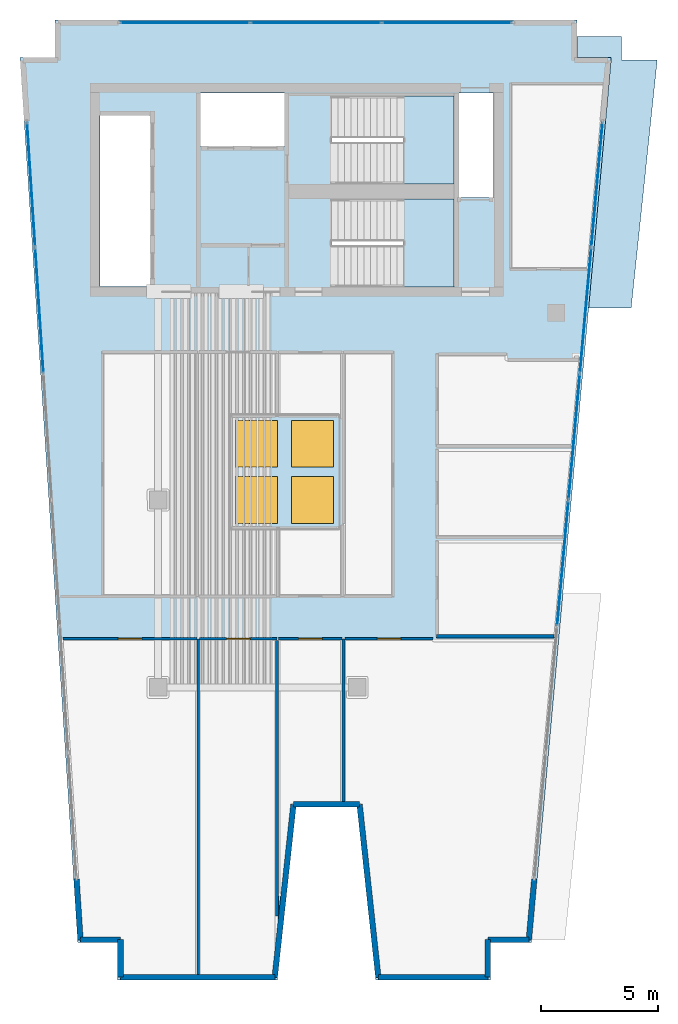
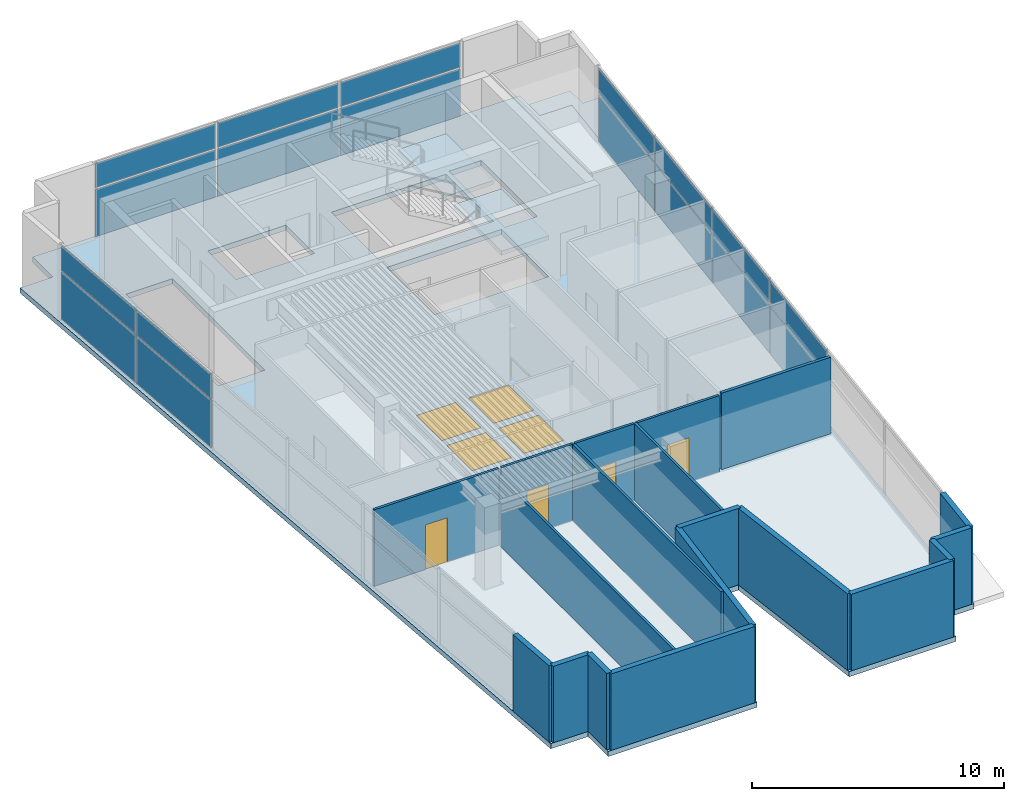
# One storey, part 3 of 7: 19 walls, 18 plates, 4 doors, 4 slabs, 4 windows, 8 openings, 5 elements without a shape of their own.
"""IFC4 building model written with IfcOpenShell, lengths in metres."""

from ifc_helpers import new_model, si_unit, direction, frame, frame_2d, origin, origin_2d, place, context, subcontext, project, spatial, polyline, rectangle, outline, extrude, material, layer, layer_set, type_object, element, fill, aggregate, save


model = new_model("IFC4")

# Units and contexts
model_context = context("Model", 3, precision=1e-05, world=origin(), true_north=direction((0.0, 1.0)))
body_context = subcontext(model_context, "Body", "Model", "MODEL_VIEW")
ifc_project = project(units=[si_unit("LENGTHUNIT", "METRE"), si_unit("AREAUNIT", "SQUARE_METRE"), si_unit("VOLUMEUNIT", "CUBIC_METRE"), si_unit("PLANEANGLEUNIT", "RADIAN"), si_unit("MASSUNIT", "GRAM", prefix="KILO")], contexts=[model_context])

# Site, building, storey
site_placement = place(None, origin())
site = spatial("IfcSite", under=ifc_project, at=site_placement, CompositionType="ELEMENT")
building_placement = place(site_placement, origin())
building = spatial("IfcBuilding", under=site, at=building_placement, Name="Caeloran Harvest Quay", CompositionType="ELEMENT")
storey_placement = place(building_placement, frame((0.0, 0.0, 300.14990234375)))
storey = spatial("IfcBuildingStorey", under=building, at=storey_placement, Name="L72", CompositionType="ELEMENT", Elevation=300.14990234375)

# Curtain wall, plates
ifc_material_1 = material(Name="Aluminium 6063-T6 and Low-E Glazing", Category="aluminium")
ifc_layer_1 = layer(ifc_material_1, 0.239990234375, Name="Aluminium 6063-T6 and Low-E Glazing")
ifc_layer_set_1 = layer_set([ifc_layer_1], Name="Aluminium 6063-T6 and Low-E Glazing")
curtain_wall_type = type_object("IfcCurtainWallType", Name="CW-SYS-CW-7", PredefinedType="USERDEFINED", material=ifc_layer_set_1)
curtain_wall_1_placement = place(storey_placement, origin())
curtain_wall_1 = element("IfcCurtainWall", 1, at=curtain_wall_1_placement, inside=storey, type_object=curtain_wall_type, Name="L72 Unitised Curtain Wall CW-7 Run 3", ObjectType="CURTAIN_WALL", PredefinedType="USERDEFINED")
ifc_material_2 = material(Name="Low-E Double Glazed Vision Glass Unit", Category="glass")
ifc_layer_2 = layer(ifc_material_2, 0.035888671875, Name="Low-E Double Glazed Vision Glass Unit")
ifc_layer_set_2 = layer_set([ifc_layer_2], Name="Low-E Double Glazed Vision Glass Unit")
plate_type = type_object("IfcPlateType", Name="CW-VISION-PANEL", PredefinedType="CURTAIN_PANEL", material=ifc_layer_set_2)
plate_1_placement = place(storey_placement, frame((3.430419921875, 31.0927734375, 0.080078125), z_axis=(0.0, 0.0, 1.0), x_axis=(-0.065166552901, 0.997874401106, 0.0)))
plate_1 = element("IfcPlate", 2, at=plate_1_placement, type_object=plate_type, Name="CW-7 panel 5.1", PredefinedType="CURTAIN_PANEL", context=body_context, shape_type="SweptSolid", body=[
    extrude(rectangle(XDim=5.32666015625, YDim=0.035888671875, at=origin_2d()), origin(), (0.0, 0.0, 1.0), 2.280029296875),
])
plate_2_placement = place(storey_placement, frame((3.430419921875, 31.0927734375, 2.43994140625), z_axis=(0.0, 0.0, 1.0), x_axis=(-0.065166552901, 0.997874401106, 0.0)))
plate_2 = element("IfcPlate", 3, at=plate_2_placement, type_object=plate_type, Name="CW-7 panel 5.2", PredefinedType="CURTAIN_PANEL", context=body_context, shape_type="SweptSolid", body=[
    extrude(rectangle(XDim=5.32666015625, YDim=0.035888671875, at=origin_2d()), origin(), (0.0, 0.0, 1.0), 1.179931640625),
])
plate_3_placement = place(storey_placement, frame((3.07958984375, 36.468017578125, 0.080078125), z_axis=(0.0, 0.0, 1.0), x_axis=(-0.065166552901, 0.997874401106, 0.0)))
plate_3 = element("IfcPlate", 4, at=plate_3_placement, type_object=plate_type, Name="CW-7 panel 6.1", PredefinedType="CURTAIN_PANEL", context=body_context, shape_type="SweptSolid", body=[
    extrude(rectangle(XDim=5.28662109375, YDim=0.035888671875, at=origin_2d()), origin(), (0.0, 0.0, 1.0), 2.280029296875),
])
plate_4_placement = place(storey_placement, frame((3.07958984375, 36.468017578125, 2.43994140625), z_axis=(0.0, 0.0, 1.0), x_axis=(-0.065166552901, 0.997874401106, 0.0)))
plate_4 = element("IfcPlate", 5, at=plate_4_placement, type_object=plate_type, Name="CW-7 panel 6.2", PredefinedType="CURTAIN_PANEL", context=body_context, shape_type="SweptSolid", body=[
    extrude(rectangle(XDim=5.28662109375, YDim=0.035888671875, at=origin_2d()), origin(), (0.0, 0.0, 1.0), 1.179931640625),
])
aggregate(curtain_wall_1, [plate_1, plate_2, plate_3, plate_4])

curtain_wall_2_placement = place(storey_placement, origin())
curtain_wall_2 = element("IfcCurtainWall", 6, at=curtain_wall_2_placement, inside=storey, type_object=curtain_wall_type, Name="L72 Unitised Curtain Wall CW-7 Run 6", ObjectType="CURTAIN_WALL", PredefinedType="USERDEFINED")
plate_5_placement = place(storey_placement, frame((9.64990234375, 43.3798828125, 0.080078125), z_axis=(0.0, 0.0, 1.0), x_axis=(1.0, 0.0, 0.0)))
plate_5 = element("IfcPlate", 7, at=plate_5_placement, type_object=plate_type, Name="CW-7 panel 1.1", PredefinedType="CURTAIN_PANEL", context=body_context, shape_type="SweptSolid", body=[
    extrude(rectangle(XDim=5.5, YDim=0.035888671875, at=origin_2d()), origin(), (0.0, 0.0, 1.0), 2.280029296875),
])
plate_6_placement = place(storey_placement, frame((9.64990234375, 43.3798828125, 2.43994140625), z_axis=(0.0, 0.0, 1.0), x_axis=(1.0, 0.0, 0.0)))
plate_6 = element("IfcPlate", 8, at=plate_6_placement, type_object=plate_type, Name="CW-7 panel 1.2", PredefinedType="CURTAIN_PANEL", context=body_context, shape_type="SweptSolid", body=[
    extrude(rectangle(XDim=5.5, YDim=0.035888671875, at=origin_2d()), origin(), (0.0, 0.0, 1.0), 1.179931640625),
])
plate_7_placement = place(storey_placement, frame((15.25, 43.3798828125, 0.080078125), z_axis=(0.0, 0.0, 1.0), x_axis=(1.0, 0.0, 0.0)))
plate_7 = element("IfcPlate", 9, at=plate_7_placement, type_object=plate_type, Name="CW-7 panel 2.1", PredefinedType="CURTAIN_PANEL", context=body_context, shape_type="SweptSolid", body=[
    extrude(rectangle(XDim=5.5400390625, YDim=0.035888671875, at=origin_2d()), origin(), (0.0, 0.0, 1.0), 2.280029296875),
])
plate_8_placement = place(storey_placement, frame((15.25, 43.3798828125, 2.43994140625), z_axis=(0.0, 0.0, 1.0), x_axis=(1.0, 0.0, 0.0)))
plate_8 = element("IfcPlate", 10, at=plate_8_placement, type_object=plate_type, Name="CW-7 panel 2.2", PredefinedType="CURTAIN_PANEL", context=body_context, shape_type="SweptSolid", body=[
    extrude(rectangle(XDim=5.5400390625, YDim=0.035888671875, at=origin_2d()), origin(), (0.0, 0.0, 1.0), 1.179931640625),
])
plate_9_placement = place(storey_placement, frame((20.85009765625, 43.3798828125, 0.080078125), z_axis=(0.0, 0.0, 1.0), x_axis=(1.0, 0.0, 0.0)))
plate_9 = element("IfcPlate", 11, at=plate_9_placement, type_object=plate_type, Name="CW-7 panel 3.1", PredefinedType="CURTAIN_PANEL", context=body_context, shape_type="SweptSolid", body=[
    extrude(rectangle(XDim=5.5, YDim=0.035888671875, at=origin_2d()), origin(), (0.0, 0.0, 1.0), 2.280029296875),
])
plate_10_placement = place(storey_placement, frame((20.85009765625, 43.3798828125, 2.43994140625), z_axis=(0.0, 0.0, 1.0), x_axis=(1.0, 0.0, 0.0)))
plate_10 = element("IfcPlate", 12, at=plate_10_placement, type_object=plate_type, Name="CW-7 panel 3.2", PredefinedType="CURTAIN_PANEL", context=body_context, shape_type="SweptSolid", body=[
    extrude(rectangle(XDim=5.5, YDim=0.035888671875, at=origin_2d()), origin(), (0.0, 0.0, 1.0), 1.179931640625),
])
aggregate(curtain_wall_2, [plate_5, plate_6, plate_7, plate_8, plate_9, plate_10])

curtain_wall_3_placement = place(storey_placement, origin())
curtain_wall_3 = element("IfcCurtainWall", 13, at=curtain_wall_3_placement, inside=storey, type_object=curtain_wall_type, Name="L72 Unitised Curtain Wall CW-7 Run 9", ObjectType="CURTAIN_WALL", PredefinedType="USERDEFINED")
plate_11_placement = place(storey_placement, frame((27.245849609375, 36.47216796875, 0.080078125), z_axis=(0.0, 0.0, 1.0), x_axis=(-0.089821065146, -0.995957918918, 0.0)))
plate_11 = element("IfcPlate", 14, at=plate_11_placement, type_object=plate_type, Name="CW-7 panel 1.1", PredefinedType="CURTAIN_PANEL", context=body_context, shape_type="SweptSolid", body=[
    extrude(rectangle(XDim=5.298828125, YDim=0.035888671875, at=origin_2d()), origin(), (0.0, 0.0, 1.0), 2.280029296875),
])
plate_12_placement = place(storey_placement, frame((27.245849609375, 36.47216796875, 2.43994140625), z_axis=(0.0, 0.0, 1.0), x_axis=(-0.089821065146, -0.995957918918, 0.0)))
plate_12 = element("IfcPlate", 15, at=plate_12_placement, type_object=plate_type, Name="CW-7 panel 1.2", PredefinedType="CURTAIN_PANEL", context=body_context, shape_type="SweptSolid", body=[
    extrude(rectangle(XDim=5.298828125, YDim=0.035888671875, at=origin_2d()), origin(), (0.0, 0.0, 1.0), 1.179931640625),
])
plate_13_placement = place(storey_placement, frame((26.7607421875, 31.09521484375, 0.080078125), z_axis=(0.0, 0.0, 1.0), x_axis=(-0.089821065146, -0.995957918918, 0.0)))
plate_13 = element("IfcPlate", 16, at=plate_13_placement, type_object=plate_type, Name="CW-7 panel 2.1", PredefinedType="CURTAIN_PANEL", context=body_context, shape_type="SweptSolid", body=[
    extrude(rectangle(XDim=5.338623046875, YDim=0.035888671875, at=origin_2d()), origin(), (0.0, 0.0, 1.0), 2.280029296875),
])
plate_14_placement = place(storey_placement, frame((26.7607421875, 31.09521484375, 2.43994140625), z_axis=(0.0, 0.0, 1.0), x_axis=(-0.089821065146, -0.995957918918, 0.0)))
plate_14 = element("IfcPlate", 17, at=plate_14_placement, type_object=plate_type, Name="CW-7 panel 2.2", PredefinedType="CURTAIN_PANEL", context=body_context, shape_type="SweptSolid", body=[
    extrude(rectangle(XDim=5.338623046875, YDim=0.035888671875, at=origin_2d()), origin(), (0.0, 0.0, 1.0), 1.179931640625),
])
plate_15_placement = place(storey_placement, frame((26.274169921875, 25.698486328125, 0.080078125), z_axis=(0.0, 0.0, 1.0), x_axis=(-0.089821065146, -0.995957918918, 0.0)))
plate_15 = element("IfcPlate", 18, at=plate_15_placement, type_object=plate_type, Name="CW-7 panel 3.1", PredefinedType="CURTAIN_PANEL", context=body_context, shape_type="SweptSolid", body=[
    extrude(rectangle(XDim=5.338623046875, YDim=0.035888671875, at=origin_2d()), origin(), (0.0, 0.0, 1.0), 2.280029296875),
])
plate_16_placement = place(storey_placement, frame((26.274169921875, 25.698486328125, 2.43994140625), z_axis=(0.0, 0.0, 1.0), x_axis=(-0.089821065146, -0.995957918918, 0.0)))
plate_16 = element("IfcPlate", 19, at=plate_16_placement, type_object=plate_type, Name="CW-7 panel 3.2", PredefinedType="CURTAIN_PANEL", context=body_context, shape_type="SweptSolid", body=[
    extrude(rectangle(XDim=5.338623046875, YDim=0.035888671875, at=origin_2d()), origin(), (0.0, 0.0, 1.0), 1.179931640625),
])
plate_17_placement = place(storey_placement, frame((25.787353515625, 20.301513671875, 0.080078125), z_axis=(0.0, 0.0, 1.0), x_axis=(-0.089821065146, -0.995957918918, 0.0)))
plate_17 = element("IfcPlate", 20, at=plate_17_placement, type_object=plate_type, Name="CW-7 panel 4.1", PredefinedType="CURTAIN_PANEL", context=body_context, shape_type="SweptSolid", body=[
    extrude(rectangle(XDim=5.338623046875, YDim=0.035888671875, at=origin_2d()), origin(), (0.0, 0.0, 1.0), 2.280029296875),
])
plate_18_placement = place(storey_placement, frame((25.787353515625, 20.301513671875, 2.43994140625), z_axis=(0.0, 0.0, 1.0), x_axis=(-0.089821065146, -0.995957918918, 0.0)))
plate_18 = element("IfcPlate", 21, at=plate_18_placement, type_object=plate_type, Name="CW-7 panel 4.2", PredefinedType="CURTAIN_PANEL", context=body_context, shape_type="SweptSolid", body=[
    extrude(rectangle(XDim=5.338623046875, YDim=0.035888671875, at=origin_2d()), origin(), (0.0, 0.0, 1.0), 1.179931640625),
])
aggregate(curtain_wall_3, [plate_11, plate_12, plate_13, plate_14, plate_15, plate_16, plate_17, plate_18])

# Slab, openings, windows
ifc_material_3 = material(Name="Concrete C50/60", Category="concrete")
ifc_layer_3 = layer(ifc_material_3, 0.25, Name="Concrete C50/60")
ifc_layer_set_3 = layer_set([ifc_layer_3], Name="Concrete C50/60")
slab_type_1 = type_object("IfcSlabType", Name="SLAB-FS-250", PredefinedType="FLOOR", material=ifc_layer_set_3)
slab_1_placement = place(storey_placement, frame((0.0, 0.0, -0.25)))
slab_1 = element("IfcSlab", 22, at=slab_1_placement, inside=storey, type_object=slab_type_1, Name="L72 Structural Floor Slab", PredefinedType="FLOOR", context=body_context, shape_type="SweptSolid", body=[
    extrude(outline(polyline([(6.777587890625, 2.5), (13.592529296875, 2.5), (14.392578125, 9.8798828125), (17.0, 9.8798828125), (17.800048828125, 2.5), (22.702392578125, 2.5), (22.702392578125, 4.10009765625), (24.44677734375, 4.10009765625), (27.855712890625, 41.89990234375), (26.39990234375, 41.89990234375), (26.39990234375, 43.5), (4.10009765625, 43.5), (4.10009765625, 41.89990234375), (2.6044921875, 41.89990234375), (5.072998046875, 4.10009765625), (6.777587890625, 4.10009765625), (6.777587890625, 2.5)]), holes=[polyline([(21.14990234375, 32.10009765625), (15.89990234375, 32.10009765625), (15.89990234375, 35.85009765625), (21.14990234375, 35.85009765625), (21.14990234375, 32.10009765625)]), polyline([(8.159912109375, 39.419921875), (8.159912109375, 32.1201171875), (6.02001953125, 32.1201171875), (6.02001953125, 39.419921875), (8.159912109375, 39.419921875)]), polyline([(22.830078125, 40.3798828125), (22.830078125, 35.919921875), (21.35009765625, 35.919921875), (21.35009765625, 40.3798828125), (22.830078125, 40.3798828125)]), polyline([(15.89990234375, 36.5), (15.89990234375, 40.25), (21.14990234375, 40.25), (21.14990234375, 36.5), (15.89990234375, 36.5)]), polyline([(13.89990234375, 38.1201171875), (10.320068359375, 38.1201171875), (10.320068359375, 40.3798828125), (13.89990234375, 40.3798828125), (13.89990234375, 38.1201171875)])]), origin(), (0.0, 0.0, 1.0), 0.25),
])
opening_1_placement = place(slab_1_placement, frame((12.699951171875, 23.0, -0.010009765625)))
opening_1 = element("IfcOpeningElement", 23, at=opening_1_placement, cuts=slab_1, Name="Opening SK-02", PredefinedType="OPENING", context=body_context, shape_type="SweptSolid", body=[
    extrude(rectangle(XDim=1.800048828125, YDim=2.0, at=origin_2d()), origin(), (0.0, 0.0, 1.0), 0.27001953125),
])
opening_2_placement = place(slab_1_placement, frame((15.10009765625, 23.0, -0.010009765625)))
opening_2 = element("IfcOpeningElement", 24, at=opening_2_placement, cuts=slab_1, Name="Opening SK-02", PredefinedType="OPENING", context=body_context, shape_type="SweptSolid", body=[
    extrude(rectangle(XDim=1.800048828125, YDim=2.0, at=origin_2d()), origin(), (0.0, 0.0, 1.0), 0.27001953125),
])
opening_3_placement = place(slab_1_placement, frame((12.699951171875, 25.39990234375, -0.010009765625)))
opening_3 = element("IfcOpeningElement", 25, at=opening_3_placement, cuts=slab_1, Name="Opening SK-02", PredefinedType="OPENING", context=body_context, shape_type="SweptSolid", body=[
    extrude(rectangle(XDim=1.800048828125, YDim=2.0, at=origin_2d()), origin(), (0.0, 0.0, 1.0), 0.27001953125),
])
opening_4_placement = place(slab_1_placement, frame((15.10009765625, 25.39990234375, -0.010009765625)))
opening_4 = element("IfcOpeningElement", 26, at=opening_4_placement, cuts=slab_1, Name="Opening SK-02", PredefinedType="OPENING", context=body_context, shape_type="SweptSolid", body=[
    extrude(rectangle(XDim=1.800048828125, YDim=2.0, at=origin_2d()), origin(), (0.0, 0.0, 1.0), 0.27001953125),
])
ifc_material_4 = material(Name="Aluminium-Framed Low-E Laminated Glass", Category="aluminium")
window_type = type_object("IfcWindowType", Name="WIN-SK-02", PartitioningType="SINGLE_PANEL", PredefinedType="SKYLIGHT", material=ifc_material_4)
window_1_placement = place(slab_1_placement, frame((12.699951171875, 23.0, 0.199951171875)))
window_1 = element("IfcWindow", 27, at=window_1_placement, inside=storey, type_object=window_type, Name="Level L72 Atrium Cap Skylight SK-02-01", OverallHeight=2.0, OverallWidth=1.800048828125, PartitioningType="SINGLE_PANEL", PredefinedType="SKYLIGHT", context=body_context, shape_type="SweptSolid", body=[
    extrude(rectangle(XDim=1.800048828125, YDim=2.0, at=origin_2d()), origin(), (0.0, 0.0, 1.0), 0.050048828125),
])
fill(opening_1, window_1)
window_2_placement = place(slab_1_placement, frame((15.10009765625, 23.0, 0.199951171875)))
window_2 = element("IfcWindow", 28, at=window_2_placement, inside=storey, type_object=window_type, Name="Level L72 Atrium Cap Skylight SK-02-02", OverallHeight=2.0, OverallWidth=1.800048828125, PartitioningType="SINGLE_PANEL", PredefinedType="SKYLIGHT", context=body_context, shape_type="SweptSolid", body=[
    extrude(rectangle(XDim=1.800048828125, YDim=2.0, at=origin_2d()), origin(), (0.0, 0.0, 1.0), 0.050048828125),
])
fill(opening_2, window_2)
window_3_placement = place(slab_1_placement, frame((12.699951171875, 25.39990234375, 0.199951171875)))
window_3 = element("IfcWindow", 29, at=window_3_placement, inside=storey, type_object=window_type, Name="Level L72 Atrium Cap Skylight SK-02-03", OverallHeight=2.0, OverallWidth=1.800048828125, PartitioningType="SINGLE_PANEL", PredefinedType="SKYLIGHT", context=body_context, shape_type="SweptSolid", body=[
    extrude(rectangle(XDim=1.800048828125, YDim=2.0, at=origin_2d()), origin(), (0.0, 0.0, 1.0), 0.050048828125),
])
fill(opening_3, window_3)
window_4_placement = place(slab_1_placement, frame((15.10009765625, 25.39990234375, 0.199951171875)))
window_4 = element("IfcWindow", 30, at=window_4_placement, inside=storey, type_object=window_type, Name="Level L72 Atrium Cap Skylight SK-02-04", OverallHeight=2.0, OverallWidth=1.800048828125, PartitioningType="SINGLE_PANEL", PredefinedType="SKYLIGHT", context=body_context, shape_type="SweptSolid", body=[
    extrude(rectangle(XDim=1.800048828125, YDim=2.0, at=origin_2d()), origin(), (0.0, 0.0, 1.0), 0.050048828125),
])
fill(opening_4, window_4)

# Slab
ifc_layer_4 = layer(ifc_material_3, 0.239990234375, Name="Concrete C50/60")
ifc_layer_set_4 = layer_set([ifc_layer_4], Name="Concrete C50/60")
slab_type_2 = type_object("IfcSlabType", Name="SLAB-TR-240", PredefinedType="ROOF", material=ifc_layer_set_4)
slab_2_placement = place(storey_placement, frame((0.0, 0.0, -0.239990234375)))
element("IfcSlab", 31, at=slab_2_placement, inside=storey, type_object=slab_type_2, Name="L72 Step-Back Roof Slab 2", PredefinedType="ROOF", context=body_context, shape_type="SweptSolid", body=[
    extrude(outline(polyline([(26.39990234375, 42.7900390625), (28.300048828125, 42.7900390625), (28.300048828125, 41.800048828125), (29.8212890625, 41.800048828125), (28.708984375, 31.2099609375), (26.8916015625, 31.2099609375), (27.855712890625, 41.89990234375), (26.39990234375, 41.89990234375), (26.39990234375, 42.7900390625)])), origin(), (0.0, 0.0, 1.0), 0.239990234375),
])

# Stair, slab
stair_type = type_object("IfcStairType", Name="STAIR-STC-180", PredefinedType="HALF_TURN_STAIR", material=ifc_material_3)
stair_1_placement = place(storey_placement, origin())
stair_1 = element("IfcStair", 32, at=stair_1_placement, inside=storey, type_object=stair_type, Name="L72 Core Pressurized Exit Stair ST-C1", PredefinedType="HALF_TURN_STAIR")
ifc_layer_5 = layer(ifc_material_3, 0.219970703125, Name="Concrete C50/60")
ifc_layer_set_5 = layer_set([ifc_layer_5], Name="Concrete C50/60")
slab_type_3 = type_object("IfcSlabType", Name="STAIR-LANDING-220", PredefinedType="LANDING", material=ifc_layer_set_5)
slab_3_placement = place(storey_placement, frame((0.0, 0.0, 1.775146484375)))
slab_3 = element("IfcSlab", 33, at=slab_3_placement, type_object=slab_type_3, Name="ST-C1 landing 1", PredefinedType="LANDING", context=body_context, shape_type="SweptSolid", body=[
    extrude(outline(polyline([(18.97998046875, 36.5), (21.14990234375, 36.5), (21.14990234375, 40.25), (18.97998046875, 40.25), (18.97998046875, 36.5)])), origin(), (0.0, 0.0, 1.0), 0.199951171875),
])
aggregate(stair_1, [slab_3])

stair_2_placement = place(storey_placement, origin())
stair_2 = element("IfcStair", 34, at=stair_2_placement, inside=storey, type_object=stair_type, Name="L72 Core Pressurized Exit Stair ST-C2", PredefinedType="HALF_TURN_STAIR")
slab_4_placement = place(storey_placement, frame((0.0, 0.0, 1.775146484375)))
slab_4 = element("IfcSlab", 35, at=slab_4_placement, type_object=slab_type_3, Name="ST-C2 landing 1", PredefinedType="LANDING", context=body_context, shape_type="SweptSolid", body=[
    extrude(outline(polyline([(18.97998046875, 32.10009765625), (21.14990234375, 32.10009765625), (21.14990234375, 35.85009765625), (18.97998046875, 35.85009765625), (18.97998046875, 32.10009765625)])), origin(), (0.0, 0.0, 1.0), 0.199951171875),
])
aggregate(stair_2, [slab_4])

# Walls
ifc_material_5 = material(Name="Precast concrete C50/60", Category="concrete")
ifc_layer_6 = layer(ifc_material_5, 0.239990234375, Name="Precast concrete C50/60")
ifc_layer_set_6 = layer_set([ifc_layer_6], Name="Precast concrete C50/60")
wall_type_1 = type_object("IfcWallType", Name="ENV-WALL-EW-240", PredefinedType="STANDARD", material=ifc_layer_set_6)
wall_1_placement = place(storey_placement, frame((6.8974609375, 2.6201171875, 0.0), z_axis=(0.0, 0.0, 1.0), x_axis=(0.0, 1.0, 0.0)))
element("IfcWall", 36, at=wall_1_placement, inside=storey, type_object=wall_type_1, Name="L72 Exterior Precast Concrete Facade Wall 1", PredefinedType="STANDARD", context=body_context, shape_type="SweptSolid", body=[
    extrude(rectangle(XDim=1.599853515625, YDim=0.239990234375, at=frame_2d((0.7998046875, 0.0))), origin(), (0.0, 0.0, 1.0), 3.7001953125),
])
wall_2_placement = place(storey_placement, frame((6.8974609375, 4.219970703125, 0.0), z_axis=(0.0, 0.0, 1.0), x_axis=(-1.0, 0.0, 0.0)))
element("IfcWall", 37, at=wall_2_placement, inside=storey, type_object=wall_type_1, Name="L72 Exterior Precast Concrete Facade Wall 2", PredefinedType="STANDARD", context=body_context, shape_type="SweptSolid", body=[
    extrude(rectangle(XDim=1.712158203125, YDim=0.239990234375, at=frame_2d((0.85595703125, 0.0))), origin(), (0.0, 0.0, 1.0), 3.7001953125),
])
for number, where, z_axis, x_axis, name in (
    (38, (5.185302734375, 4.219970703125, 0.0), (0.0, 0.0, 1.0), (-0.065073039336, 0.997880503643, 0.0), "L72 Exterior Facade Corner Pier Wall 3A"),
    (39, (24.570556640625, 6.8095703125, 0.0), (0.0, 0.0, 1.0), (-0.089765303723, -0.995962946222, 0.0), "L72 Exterior Facade Corner Pier Wall 9B"),
):
    element("IfcWall", number, at=place(storey_placement, frame(where, z_axis=z_axis, x_axis=x_axis)), inside=storey, type_object=wall_type_1, Name=name, PredefinedType="STANDARD", context=body_context, shape_type="SweptSolid", body=[
        extrude(rectangle(XDim=2.60009765625, YDim=0.239990234375, at=frame_2d((1.300048828125, 0.0))), origin(), (0.0, 0.0, 1.0), 3.7001953125),
    ])
wall_3_placement = place(storey_placement, frame((24.337158203125, 4.219970703125, 0.0), z_axis=(0.0, 0.0, 1.0), x_axis=(-1.0, 0.0, 0.0)))
element("IfcWall", 40, at=wall_3_placement, inside=storey, type_object=wall_type_1, Name="L72 Exterior Precast Concrete Facade Wall 10", PredefinedType="STANDARD", context=body_context, shape_type="SweptSolid", body=[
    extrude(rectangle(XDim=1.754638671875, YDim=0.239990234375, at=frame_2d((0.87744140625, 0.0))), origin(), (0.0, 0.0, 1.0), 3.7001953125),
])
wall_4_placement = place(storey_placement, frame((22.58251953125, 4.219970703125, 0.0), z_axis=(0.0, 0.0, 1.0), x_axis=(0.0, -1.0, 0.0)))
element("IfcWall", 41, at=wall_4_placement, inside=storey, type_object=wall_type_1, Name="L72 Exterior Precast Concrete Facade Wall 11", PredefinedType="STANDARD", context=body_context, shape_type="SweptSolid", body=[
    extrude(rectangle(XDim=1.599853515625, YDim=0.239990234375, at=frame_2d((0.7998046875, 0.0))), origin(), (0.0, 0.0, 1.0), 3.7001953125),
])
wall_5_placement = place(storey_placement, frame((22.58251953125, 2.6201171875, 0.0), z_axis=(0.0, 0.0, 1.0), x_axis=(-1.0, 0.0, 0.0)))
element("IfcWall", 42, at=wall_5_placement, inside=storey, type_object=wall_type_1, Name="L72 Exterior Precast Concrete Facade Wall 12", PredefinedType="STANDARD", context=body_context, shape_type="SweptSolid", body=[
    extrude(rectangle(XDim=4.6748046875, YDim=0.239990234375, at=frame_2d((2.33740234375, 0.0))), origin(), (0.0, 0.0, 1.0), 3.7001953125),
])
wall_6_placement = place(storey_placement, frame((17.90771484375, 2.6201171875, 0.0), z_axis=(0.0, 0.0, 1.0), x_axis=(-0.107777936076, 0.994174992894, 0.0)))
element("IfcWall", 43, at=wall_6_placement, inside=storey, type_object=wall_type_1, Name="L72 Exterior Precast Concrete Facade Wall 13", PredefinedType="STANDARD", context=body_context, shape_type="SweptSolid", body=[
    extrude(rectangle(XDim=7.423095703125, YDim=0.239990234375, at=frame_2d((3.71142578125, 0.0))), origin(), (0.0, 0.0, 1.0), 3.7001953125),
])
wall_7_placement = place(storey_placement, frame((17.107666015625, 10.0, 0.0), z_axis=(0.0, 0.0, 1.0), x_axis=(-1.0, 0.0, 0.0)))
element("IfcWall", 44, at=wall_7_placement, inside=storey, type_object=wall_type_1, Name="L72 Exterior Precast Concrete Facade Wall 14", PredefinedType="STANDARD", context=body_context, shape_type="SweptSolid", body=[
    extrude(rectangle(XDim=2.82275390625, YDim=0.239990234375, at=frame_2d((1.411376953125, 0.0))), origin(), (0.0, 0.0, 1.0), 3.7001953125),
])
wall_8_placement = place(storey_placement, frame((14.284912109375, 10.0, 0.0), z_axis=(0.0, 0.0, 1.0), x_axis=(-0.107777936076, -0.994174992894, 0.0)))
element("IfcWall", 45, at=wall_8_placement, inside=storey, type_object=wall_type_1, Name="L72 Exterior Precast Concrete Facade Wall 15", PredefinedType="STANDARD", context=body_context, shape_type="SweptSolid", body=[
    extrude(rectangle(XDim=7.423095703125, YDim=0.239990234375, at=frame_2d((3.71142578125, 0.0))), origin(), (0.0, 0.0, 1.0), 3.7001953125),
])
wall_9_placement = place(storey_placement, frame((13.48486328125, 2.6201171875, 0.0), z_axis=(0.0, 0.0, 1.0), x_axis=(-1.0, 0.0, 0.0)))
element("IfcWall", 46, at=wall_9_placement, inside=storey, type_object=wall_type_1, Name="L72 Exterior Precast Concrete Facade Wall 16", PredefinedType="STANDARD", context=body_context, shape_type="SweptSolid", body=[
    extrude(rectangle(XDim=6.58740234375, YDim=0.239990234375, at=frame_2d((3.293701171875, 0.0))), origin(), (0.0, 0.0, 1.0), 3.7001953125),
])
ifc_material_6 = material(Name="Single-Stud Acoustic Gypsum Office Partition", Category="gypsum")
ifc_layer_7 = layer(ifc_material_6, 0.112060546875, Name="Single-Stud Acoustic Gypsum Office Partition")
ifc_layer_set_7 = layer_set([ifc_layer_7], Name="Single-Stud Acoustic Gypsum Office Partition")
wall_type_2 = type_object("IfcWallType", Name="INT-WALL-PW-112", PredefinedType="PARTITIONING", material=ifc_layer_set_7)
wall_10_placement = place(storey_placement, frame((10.219970703125, 2.7451171875, 0.0), z_axis=(0.0, 0.0, 1.0), x_axis=(0.0, 1.0, 0.0)))
element("IfcWall", 47, at=wall_10_placement, inside=storey, type_object=wall_type_2, Name="West Harbour Tasting Kitchen Partition Wall", PredefinedType="PARTITIONING", context=body_context, shape_type="SweptSolid", body=[
    extrude(rectangle(XDim=14.324951171875, YDim=0.112060546875, at=frame_2d((7.16259765625, 0.0))), origin(), (0.0, 0.0, 1.0), 3.3251953125),
])

# Wall, opening, door
wall_11_placement = place(storey_placement, frame((10.281005859375, 17.070068359375, 0.0), z_axis=(0.0, 0.0, 1.0), x_axis=(1.0, 0.0, 0.0)))
wall_11 = element("IfcWall", 48, at=wall_11_placement, inside=storey, type_object=wall_type_2, Name="West Harbour Tasting Kitchen Partition Wall", PredefinedType="PARTITIONING", context=body_context, shape_type="SweptSolid", body=[
    extrude(rectangle(XDim=3.299072265625, YDim=0.112060546875, at=frame_2d((1.6494140625, 0.0))), origin(), (0.0, 0.0, 1.0), 3.7001953125),
])
opening_5_placement = place(wall_11_placement, frame((1.1494140625, 0.0, 0.0)))
opening_5 = element("IfcOpeningElement", 49, at=opening_5_placement, cuts=wall_11, Name="Opening ID-01", PredefinedType="OPENING", context=body_context, shape_type="SweptSolid", body=[
    extrude(rectangle(XDim=1.0, YDim=2.14990234375, at=frame_2d((0.5, 1.074951171875))), frame((0.0, 0.06591796875, 0.0), z_axis=(0.0, -1.0, 0.0), x_axis=(1.0, 0.0, 0.0)), (0.0, 0.0, 1.0), 0.132080078125),
])
ifc_material_7 = material(Name="FSC Solid-Core Ash Timber and Acoustic Seal", Category="wood")
door_type = type_object("IfcDoorType", Name="INTDOOR-ID-01", OperationType="NOTDEFINED", PredefinedType="DOOR", material=ifc_material_7)
door_1_placement = place(opening_5_placement, origin())
door_1 = element("IfcDoor", 50, at=door_1_placement, inside=storey, type_object=door_type, Name="West Harbour Tasting Kitchen Access Door", OperationType="SINGLE_SWING_LEFT", OverallHeight=2.14990234375, OverallWidth=1.0, PredefinedType="DOOR", context=body_context, shape_type="SweptSolid", body=[
    extrude(rectangle(XDim=1.0, YDim=2.14990234375, at=frame_2d((0.5, 1.074951171875))), frame((0.0, 0.02490234375, 0.0), z_axis=(0.0, -1.0, 0.0), x_axis=(1.0, 0.0, 0.0)), (0.0, 0.0, 1.0), 0.050048828125),
])
fill(opening_5, door_1)

# Wall
wall_12_placement = place(storey_placement, frame((13.580078125, 17.009033203125, 0.0), z_axis=(0.0, 0.0, 1.0), x_axis=(0.0, -1.0, 0.0)))
element("IfcWall", 51, at=wall_12_placement, inside=storey, type_object=wall_type_2, Name="West Harbour Tasting Kitchen Partition Wall", PredefinedType="PARTITIONING", context=body_context, shape_type="SweptSolid", body=[
    extrude(rectangle(XDim=11.766357421875, YDim=0.112060546875, at=frame_2d((5.88330078125, 0.0))), origin(), (0.0, 0.0, 1.0), 3.7001953125),
])

# Wall, opening, door
wall_13_placement = place(storey_placement, frame((4.451416015625, 17.070068359375, 0.0), z_axis=(0.0, 0.0, 1.0), x_axis=(1.0, 0.0, 0.0)))
wall_13 = element("IfcWall", 52, at=wall_13_placement, inside=storey, type_object=wall_type_2, Name="Executive Dining Kitchen Partition Wall", PredefinedType="PARTITIONING", context=body_context, shape_type="SweptSolid", body=[
    extrude(rectangle(XDim=5.70751953125, YDim=0.112060546875, at=frame_2d((2.853759765625, 0.0))), origin(), (0.0, 0.0, 1.0), 3.7001953125),
])
opening_6_placement = place(wall_13_placement, frame((2.353759765625, 0.0, 0.0)))
opening_6 = element("IfcOpeningElement", 53, at=opening_6_placement, cuts=wall_13, Name="Opening ID-01", PredefinedType="OPENING", context=body_context, shape_type="SweptSolid", body=[
    extrude(rectangle(XDim=1.0, YDim=2.14990234375, at=frame_2d((0.5, 1.074951171875))), frame((0.0, 0.06591796875, 0.0), z_axis=(0.0, -1.0, 0.0), x_axis=(1.0, 0.0, 0.0)), (0.0, 0.0, 1.0), 0.132080078125),
])
door_2_placement = place(opening_6_placement, origin())
door_2 = element("IfcDoor", 54, at=door_2_placement, inside=storey, type_object=door_type, Name="Executive Dining Kitchen Access Door", OperationType="SINGLE_SWING_RIGHT", OverallHeight=2.14990234375, OverallWidth=1.0, PredefinedType="DOOR", context=body_context, shape_type="SweptSolid", body=[
    extrude(rectangle(XDim=1.0, YDim=2.14990234375, at=frame_2d((0.5, 1.074951171875))), frame((0.0, 0.02490234375, 0.0), z_axis=(0.0, -1.0, 0.0), x_axis=(1.0, 0.0, 0.0)), (0.0, 0.0, 1.0), 0.050048828125),
])
fill(opening_6, door_2)

# Wall
wall_14_placement = place(storey_placement, frame((16.419921875, 10.125, 0.0), z_axis=(0.0, 0.0, 1.0), x_axis=(0.0, 1.0, 0.0)))
element("IfcWall", 55, at=wall_14_placement, inside=storey, type_object=wall_type_2, Name="Sommelier Prep Kitchen Partition Wall", PredefinedType="PARTITIONING", context=body_context, shape_type="SweptSolid", body=[
    extrude(rectangle(XDim=6.945068359375, YDim=0.112060546875, at=frame_2d((3.47265625, 0.0))), origin(), (0.0, 0.0, 1.0), 3.7001953125),
])

# Wall, opening, door
wall_15_placement = place(storey_placement, frame((16.48095703125, 17.070068359375, 0.0), z_axis=(0.0, 0.0, 1.0), x_axis=(1.0, 0.0, 0.0)))
wall_15 = element("IfcWall", 56, at=wall_15_placement, inside=storey, type_object=wall_type_2, Name="Sommelier Prep Kitchen Partition Wall", PredefinedType="PARTITIONING", context=body_context, shape_type="SweptSolid", body=[
    extrude(rectangle(XDim=3.761962890625, YDim=0.112060546875, at=frame_2d((1.880859375, 0.0))), origin(), (0.0, 0.0, 1.0), 3.7001953125),
])
opening_7_placement = place(wall_15_placement, frame((1.381103515625, 0.0, 0.0)))
opening_7 = element("IfcOpeningElement", 57, at=opening_7_placement, cuts=wall_15, Name="Opening ID-01", PredefinedType="OPENING", context=body_context, shape_type="SweptSolid", body=[
    extrude(rectangle(XDim=1.0, YDim=2.14990234375, at=frame_2d((0.5, 1.074951171875))), frame((0.0, 0.06591796875, 0.0), z_axis=(0.0, -1.0, 0.0), x_axis=(1.0, 0.0, 0.0)), (0.0, 0.0, 1.0), 0.132080078125),
])
door_3_placement = place(opening_7_placement, origin())
door_3 = element("IfcDoor", 58, at=door_3_placement, inside=storey, type_object=door_type, Name="Sommelier Prep Kitchen Access Door", OperationType="SINGLE_SWING_LEFT", OverallHeight=2.14990234375, OverallWidth=1.0, PredefinedType="DOOR", context=body_context, shape_type="SweptSolid", body=[
    extrude(rectangle(XDim=1.0, YDim=2.14990234375, at=frame_2d((0.5, 1.074951171875))), frame((0.0, 0.02490234375, 0.0), z_axis=(0.0, -1.0, 0.0), x_axis=(1.0, 0.0, 0.0)), (0.0, 0.0, 1.0), 0.050048828125),
])
fill(opening_7, door_3)

wall_16_placement = place(storey_placement, frame((13.64794921875, 17.070068359375, 0.0), z_axis=(0.0, 0.0, 1.0), x_axis=(1.0, 0.0, 0.0)))
wall_16 = element("IfcWall", 59, at=wall_16_placement, inside=storey, type_object=wall_type_2, Name="Crown Culinary Meeting Room Partition Wall", PredefinedType="PARTITIONING", context=body_context, shape_type="SweptSolid", body=[
    extrude(rectangle(XDim=2.7109375, YDim=0.112060546875, at=frame_2d((1.35546875, 0.0))), origin(), (0.0, 0.0, 1.0), 3.7001953125),
])
opening_8_placement = place(wall_16_placement, frame((0.85546875, 0.0, 0.0)))
opening_8 = element("IfcOpeningElement", 60, at=opening_8_placement, cuts=wall_16, Name="Opening ID-01", PredefinedType="OPENING", context=body_context, shape_type="SweptSolid", body=[
    extrude(rectangle(XDim=1.0, YDim=2.14990234375, at=frame_2d((0.5, 1.074951171875))), frame((0.0, 0.06591796875, 0.0), z_axis=(0.0, -1.0, 0.0), x_axis=(1.0, 0.0, 0.0)), (0.0, 0.0, 1.0), 0.132080078125),
])
door_4_placement = place(opening_8_placement, origin())
door_4 = element("IfcDoor", 61, at=door_4_placement, inside=storey, type_object=door_type, Name="Crown Culinary Meeting Room Access Door", OperationType="SINGLE_SWING_RIGHT", OverallHeight=2.14990234375, OverallWidth=1.0, PredefinedType="DOOR", context=body_context, shape_type="SweptSolid", body=[
    extrude(rectangle(XDim=1.0, YDim=2.14990234375, at=frame_2d((0.5, 1.074951171875))), frame((0.0, 0.02490234375, 0.0), z_axis=(0.0, -1.0, 0.0), x_axis=(1.0, 0.0, 0.0)), (0.0, 0.0, 1.0), 0.050048828125),
])
fill(opening_8, door_4)

# Wall
ifc_material_8 = material(Name="Moisture-Resistant Cement-Board Sanitary Partition", Category="gypsum")
ifc_layer_8 = layer(ifc_material_8, 0.139892578125, Name="Moisture-Resistant Cement-Board Sanitary Partition")
ifc_layer_set_8 = layer_set([ifc_layer_8], Name="Moisture-Resistant Cement-Board Sanitary Partition")
wall_type_3 = type_object("IfcWallType", Name="INT-WALL-PW-140", PredefinedType="PARTITIONING", material=ifc_layer_set_8)
wall_17_placement = place(storey_placement, frame((25.400390625, 17.179931640625, 0.0), z_axis=(0.0, 0.0, 1.0), x_axis=(-1.0, 0.0, 0.0)))
element("IfcWall", 62, at=wall_17_placement, inside=storey, type_object=wall_type_3, Name="L72 Accessible Unisex Washroom WC Partition Wall", PredefinedType="PARTITIONING", context=body_context, shape_type="SweptSolid", body=[
    extrude(rectangle(XDim=5.00048828125, YDim=0.139892578125, at=frame_2d((2.500244140625, 0.0))), origin(), (0.0, 0.0, 1.0), 3.7001953125),
])

save(model, "model.ifc")
